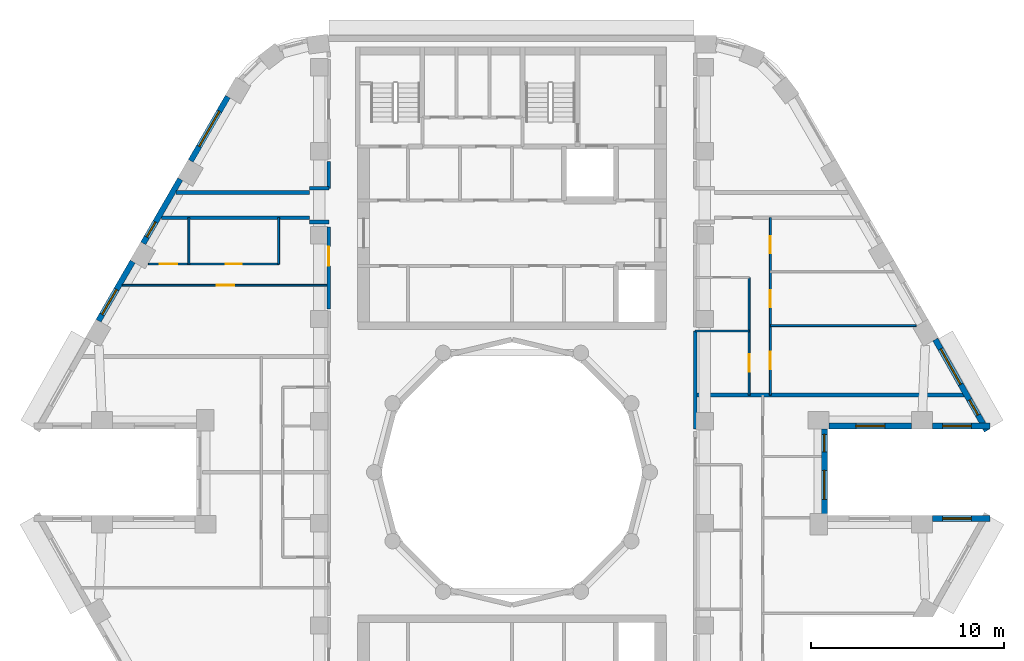
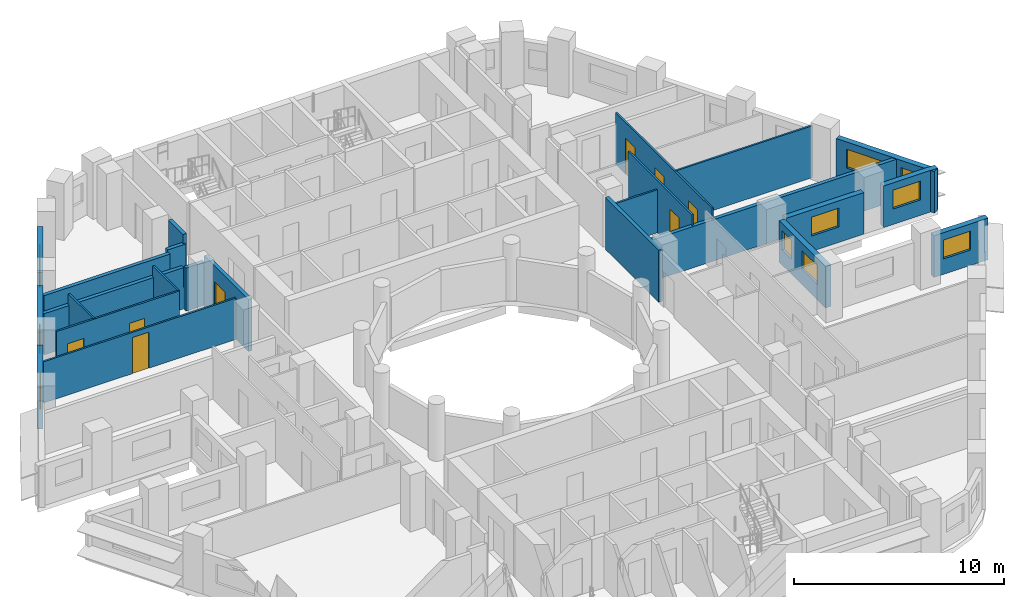
# One storey, part 6 of 12: 24 walls, 10 windows, 8 doors, 18 openings.
"""IFC4 building model written with IfcOpenShell, lengths in metres."""

from ifc_helpers import new_model, si_unit, direction, frame, frame_2d, origin, place, context, subcontext, project, spatial, rectangle, extrude, material, layer, layer_set, type_object, element, fill, save


model = new_model("IFC4")

# Units and contexts
model_context = context("Model", 3, precision=1e-05, world=origin(), true_north=direction((0.0, 1.0)))
body_context = subcontext(model_context, "Body", "Model", "MODEL_VIEW")
ifc_project = project(units=[si_unit("LENGTHUNIT", "METRE"), si_unit("AREAUNIT", "SQUARE_METRE"), si_unit("VOLUMEUNIT", "CUBIC_METRE"), si_unit("PLANEANGLEUNIT", "RADIAN"), si_unit("MASSUNIT", "GRAM", prefix="KILO")], contexts=[model_context])

# Site, building, storey
site_placement = place(None, origin())
site = spatial("IfcSite", under=ifc_project, at=site_placement, CompositionType="ELEMENT")
building_placement = place(site_placement, origin())
building = spatial("IfcBuilding", under=site, at=building_placement, Name="Nakaniwa Court", CompositionType="ELEMENT")
storey_placement = place(building_placement, frame((0.0, 0.0, 252.60009765625)))
storey = spatial("IfcBuildingStorey", under=building, at=storey_placement, Name="L66", CompositionType="ELEMENT", Elevation=252.60009765625)

# Walls
ifc_material_1 = material(Name="Acoustic double stud partition")
ifc_layer_1 = layer(ifc_material_1, 0.199951171875)
ifc_layer_set_1 = layer_set([ifc_layer_1], Name="Acoustic double stud partition")
wall_type_1 = type_object("IfcWallType", Name="Acoustic double stud partition 200", PredefinedType="PARTITIONING", material=ifc_layer_set_1)
wall_1_placement = place(storey_placement, frame((89.5, 82.237060546875, 0.0), z_axis=(0.0, 0.0, 1.0), x_axis=(0.0, 1.0, 0.0)))
element("IfcWall", 1, at=wall_1_placement, inside=storey, type_object=wall_type_1, Name="Partition PW-064", PredefinedType="PARTITIONING", context=body_context, shape_type="SweptSolid", body=[
    extrude(rectangle(XDim=5.09326171875, YDim=0.199951171875, at=frame_2d((2.546630859375, 0.0))), origin(), (0.0, 0.0, 1.0), 3.02490234375),
])
wall_2_placement = place(storey_placement, frame((61.8134765625, 93.199951171875, 0.0), z_axis=(0.0, 0.0, 1.0), x_axis=(1.0, 0.0, 0.0)))
element("IfcWall", 2, at=wall_2_placement, inside=storey, type_object=wall_type_1, Name="Partition PW-070", PredefinedType="PARTITIONING", context=body_context, shape_type="SweptSolid", body=[
    extrude(rectangle(XDim=7.6865234375, YDim=0.199951171875, at=frame_2d((3.84326171875, 0.0))), origin(), (0.0, 0.0, 1.0), 2.40478515625),
])
for number, where, z_axis, x_axis, name in (
    (3, (69.5, 92.97509765625, 0.0), (0.0, 0.0, 1.0), (1.0, 0.0, 0.0), "Partition PW-072"),
    (4, (69.5, 94.72509765625, 0.0), (0.0, 0.0, 1.0), (1.0, 0.0, 0.0), "Partition PW-074"),
):
    element("IfcWall", number, at=place(storey_placement, frame(where, z_axis=z_axis, x_axis=x_axis)), inside=storey, type_object=wall_type_1, Name=name, PredefinedType="PARTITIONING", context=body_context, shape_type="SweptSolid", body=[
        extrude(rectangle(XDim=1.0, YDim=0.199951171875, at=frame_2d((0.5, 0.0))), origin(), (0.0, 0.0, 1.0), 2.5048828125),
    ])
wall_3_placement = place(storey_placement, frame((62.56396484375, 94.5, 0.0), z_axis=(0.0, 0.0, 1.0), x_axis=(1.0, 0.0, 0.0)))
element("IfcWall", 5, at=wall_3_placement, inside=storey, type_object=wall_type_1, Name="Partition PW-076", PredefinedType="PARTITIONING", context=body_context, shape_type="SweptSolid", body=[
    extrude(rectangle(XDim=6.93603515625, YDim=0.199951171875, at=frame_2d((3.468017578125, 0.0))), origin(), (0.0, 0.0, 1.0), 2.40478515625),
])

# Wall, opening, door
wall_4_placement = place(storey_placement, frame((70.5, 88.47705078125, 0.0), z_axis=(0.0, 0.0, 1.0), x_axis=(0.0, 1.0, 0.0)))
wall_4 = element("IfcWall", 6, at=wall_4_placement, inside=storey, type_object=wall_type_1, Name="Partition PW-092", PredefinedType="PARTITIONING", context=body_context, shape_type="SweptSolid", body=[
    extrude(rectangle(XDim=4.23583984375, YDim=0.199951171875, at=frame_2d((2.117919921875, 0.0))), origin(), (0.0, 0.0, 1.0), 3.02490234375),
])
opening_1_placement = place(wall_4_placement, frame((2.22802734375, 0.0, 0.0)))
opening_1 = element("IfcOpeningElement", 7, at=opening_1_placement, cuts=wall_4, Name="Opening D-01-05", PredefinedType="OPENING", context=body_context, shape_type="SweptSolid", body=[
    extrude(rectangle(XDim=1.0, YDim=2.10009765625, at=frame_2d((0.5, 1.050048828125))), frame((0.0, 0.10986328125, 0.0), z_axis=(0.0, -1.0, 0.0), x_axis=(1.0, 0.0, 0.0)), (0.0, 0.0, 1.0), 0.219970703125),
])
ifc_material_2 = material(Name="Solid core timber door set, black veneer", Category="wood")
door_type_1 = type_object("IfcDoorType", Name="Flat entrance door 1000", OperationType="NOTDEFINED", PredefinedType="DOOR", material=ifc_material_2)
door_1_placement = place(opening_1_placement, origin())
door_1 = element("IfcDoor", 8, at=door_1_placement, inside=storey, type_object=door_type_1, Name="Door D-01-05 L66-055", OperationType="SINGLE_SWING_RIGHT", OverallHeight=2.10009765625, OverallWidth=1.0, PredefinedType="DOOR", context=body_context, shape_type="SweptSolid", body=[
    extrude(rectangle(XDim=1.0, YDim=2.10009765625, at=frame_2d((0.5, 1.050048828125))), frame((0.0, 0.02490234375, 0.0), z_axis=(0.0, -1.0, 0.0), x_axis=(1.0, 0.0, 0.0)), (0.0, 0.0, 1.0), 0.050048828125),
])
fill(opening_1, door_1)

# Walls
wall_5_placement = place(storey_placement, frame((70.5, 94.721923828125, 0.0), z_axis=(0.0, 0.0, 1.0), x_axis=(0.0, 1.0, 0.0)))
element("IfcWall", 9, at=wall_5_placement, inside=storey, type_object=wall_type_1, Name="Partition PW-093", PredefinedType="PARTITIONING", context=body_context, shape_type="SweptSolid", body=[
    extrude(rectangle(XDim=1.401123046875, YDim=0.199951171875, at=frame_2d((0.70068359375, 0.0))), origin(), (0.0, 0.0, 1.0), 3.02490234375),
])
wall_6_placement = place(storey_placement, frame((89.5, 84.0, 0.0), z_axis=(0.0, 0.0, 1.0), x_axis=(1.0, 0.0, 0.0)))
element("IfcWall", 10, at=wall_6_placement, inside=storey, type_object=wall_type_1, Name="Partition PW-102", PredefinedType="PARTITIONING", context=body_context, shape_type="SweptSolid", body=[
    extrude(rectangle(XDim=13.998291015625, YDim=0.199951171875, at=frame_2d((6.9990234375, 0.0))), origin(), (0.0, 0.0, 1.0), 2.40478515625),
])

# Wall, opening, window
ifc_material_3 = material(Name="Charcoal ceramic cladding")
ifc_layer_2 = layer(ifc_material_3, 0.02, Name="Ceramic cladding")
ifc_material_4 = material(Name="Ventilated air cavity")
ifc_layer_3 = layer(ifc_material_4, 0.04, ventilated=True, Name="Ventilated cavity")
ifc_material_5 = material(Name="Mineral wool insulation")
ifc_layer_4 = layer(ifc_material_5, 0.1, Name="Insulation")
ifc_material_6 = material(Name="Cement bonded sheathing board")
ifc_layer_5 = layer(ifc_material_6, 0.012, Name="Sheathing")
ifc_material_7 = material(Name="Cold-formed galvanised stud frame with mineral wool infill")
ifc_layer_6 = layer(ifc_material_7, 0.1, Name="Stud frame")
ifc_material_8 = material(Name="Fire-rated gypsum plasterboard lining")
ifc_layer_7 = layer(ifc_material_8, 0.028, Name="Lining")
ifc_layer_set_2 = layer_set([ifc_layer_2, ifc_layer_3, ifc_layer_4, ifc_layer_5, ifc_layer_6, ifc_layer_7], Name="Charcoal ceramic faced external wall system")
wall_type_2 = type_object("IfcWallType", Name="Black ceramic faced external wall 300", PredefinedType="SOLIDWALL", material=ifc_layer_set_2)
wall_7_placement = place(storey_placement, frame((96.445556640625, 82.39990234375, 0.0), z_axis=(0.0, 0.0, 1.0), x_axis=(1.0, 0.0, 0.0)))
wall_7 = element("IfcWall", 11, at=wall_7_placement, inside=storey, type_object=wall_type_2, Name="L66 external wall 00", PredefinedType="SOLIDWALL", context=body_context, shape_type="SweptSolid", body=[
    extrude(rectangle(XDim=4.2724609375, YDim=0.300048828125, at=frame_2d((2.13623046875, 0.0))), origin(), (0.0, 0.0, 1.0), 2.4248046875),
])
opening_2_placement = place(wall_7_placement, frame((1.38623046875, 0.0, 0.89990234375)))
opening_2 = element("IfcOpeningElement", 12, at=opening_2_placement, cuts=wall_7, Name="Opening W5.01", PredefinedType="OPENING", context=body_context, shape_type="SweptSolid", body=[
    extrude(rectangle(XDim=1.5, YDim=1.10009765625, at=frame_2d((0.75, 0.550048828125))), frame((0.0, 0.159912109375, 0.0), z_axis=(0.0, -1.0, 0.0), x_axis=(1.0, 0.0, 0.0)), (0.0, 0.0, 1.0), 0.320068359375),
])
ifc_material_9 = material(Name="Black anodised aluminium frame with dark low-E laminated double glazing", Category="aluminium")
window_type_1 = type_object("IfcWindowType", Name="Dark glass window 1500x1100 sill 900", PartitioningType="SINGLE_PANEL", PredefinedType="WINDOW", material=ifc_material_9)
window_1_placement = place(opening_2_placement, origin())
window_1 = element("IfcWindow", 13, at=window_1_placement, inside=storey, type_object=window_type_1, Name="L66 bedroom window 00-0", OverallHeight=1.10009765625, OverallWidth=1.5, PartitioningType="SINGLE_PANEL", PredefinedType="WINDOW", context=body_context, shape_type="SweptSolid", body=[
    extrude(rectangle(XDim=1.5, YDim=1.10009765625, at=frame_2d((0.75, 0.550048828125))), frame((0.0, 0.030029296875, 0.0), z_axis=(0.0, -1.0, 0.0), x_axis=(1.0, 0.0, 0.0)), (0.0, 0.0, 1.0), 0.06005859375),
])
fill(opening_2, window_1)

wall_8_placement = place(storey_placement, frame((101.81005859375, 82.39990234375, 0.0), z_axis=(0.0, 0.0, 1.0), x_axis=(1.0, 0.0, 0.0)))
wall_8 = element("IfcWall", 14, at=wall_8_placement, inside=storey, type_object=wall_type_2, Name="L66 external wall 01", PredefinedType="SOLIDWALL", context=body_context, shape_type="SweptSolid", body=[
    extrude(rectangle(XDim=2.98779296875, YDim=0.300048828125, at=frame_2d((1.493896484375, 0.0))), origin(), (0.0, 0.0, 1.0), 2.4248046875),
])
opening_3_placement = place(wall_8_placement, frame((0.51904296875, 0.0, 0.89990234375)))
opening_3 = element("IfcOpeningElement", 15, at=opening_3_placement, cuts=wall_8, Name="Opening W5.02", PredefinedType="OPENING", context=body_context, shape_type="SweptSolid", body=[
    extrude(rectangle(XDim=1.5, YDim=1.10009765625, at=frame_2d((0.75, 0.550048828125))), frame((0.0, 0.159912109375, 0.0), z_axis=(0.0, -1.0, 0.0), x_axis=(1.0, 0.0, 0.0)), (0.0, 0.0, 1.0), 0.320068359375),
])
window_2_placement = place(opening_3_placement, origin())
window_2 = element("IfcWindow", 16, at=window_2_placement, inside=storey, type_object=window_type_1, Name="L66 bedroom window 01-0", OverallHeight=1.10009765625, OverallWidth=1.5, PartitioningType="SINGLE_PANEL", PredefinedType="WINDOW", context=body_context, shape_type="SweptSolid", body=[
    extrude(rectangle(XDim=1.5, YDim=1.10009765625, at=frame_2d((0.75, 0.550048828125))), frame((0.0, 0.030029296875, 0.0), z_axis=(0.0, -1.0, 0.0), x_axis=(1.0, 0.0, 0.0)), (0.0, 0.0, 1.0), 0.06005859375),
])
fill(opening_3, window_2)

# Wall, openings, windows
wall_9_placement = place(storey_placement, frame((104.627197265625, 82.153564453125, 0.0), z_axis=(0.0, 0.0, 1.0), x_axis=(-0.492080931903, 0.870549456641, 0.0)))
wall_9 = element("IfcWall", 17, at=wall_9_placement, inside=storey, type_object=wall_type_2, Name="L66 external wall 02", PredefinedType="SOLIDWALL", context=body_context, shape_type="SweptSolid", body=[
    extrude(rectangle(XDim=5.436767578125, YDim=0.300048828125, at=frame_2d((2.71826171875, 0.0))), origin(), (0.0, 0.0, 1.0), 2.4248046875),
])
opening_4_placement = place(wall_9_placement, frame((0.934326171875, 0.0, 0.89990234375)))
opening_4 = element("IfcOpeningElement", 18, at=opening_4_placement, cuts=wall_9, Name="Opening W9.03", PredefinedType="OPENING", context=body_context, shape_type="SweptSolid", body=[
    extrude(rectangle(XDim=0.89990234375, YDim=1.10009765625, at=frame_2d((0.449951171875, 0.550048828125))), frame((0.0, 0.159912109375, 0.0), z_axis=(0.0, -1.0, 0.0), x_axis=(1.0, 0.0, 0.0)), (0.0, 0.0, 1.0), 0.320068359375),
])
opening_5_placement = place(wall_9_placement, frame((2.76416015625, 0.0, 0.89990234375)))
opening_5 = element("IfcOpeningElement", 19, at=opening_5_placement, cuts=wall_9, Name="Opening W7.04", PredefinedType="OPENING", context=body_context, shape_type="SweptSolid", body=[
    extrude(rectangle(XDim=2.10009765625, YDim=1.10009765625, at=frame_2d((1.050048828125, 0.550048828125))), frame((0.0, 0.159912109375, 0.0), z_axis=(0.0, -1.0, 0.0), x_axis=(1.0, 0.0, 0.0)), (0.0, 0.0, 1.0), 0.320068359375),
])
window_type_2 = type_object("IfcWindowType", Name="Dark glass window 2100x1100 sill 900", PartitioningType="SINGLE_PANEL", PredefinedType="WINDOW", material=ifc_material_9)
window_3_placement = place(opening_5_placement, origin())
window_3 = element("IfcWindow", 20, at=window_3_placement, inside=storey, type_object=window_type_2, Name="L66 living window 02-1", OverallHeight=1.10009765625, OverallWidth=2.10009765625, PartitioningType="SINGLE_PANEL", PredefinedType="WINDOW", context=body_context, shape_type="SweptSolid", body=[
    extrude(rectangle(XDim=2.10009765625, YDim=1.10009765625, at=frame_2d((1.050048828125, 0.550048828125))), frame((0.0, 0.030029296875, 0.0), z_axis=(0.0, -1.0, 0.0), x_axis=(1.0, 0.0, 0.0)), (0.0, 0.0, 1.0), 0.06005859375),
])
fill(opening_5, window_3)
window_type_3 = type_object("IfcWindowType", Name="Dark glass window 900x1100 sill 900", PartitioningType="SINGLE_PANEL", PredefinedType="WINDOW", material=ifc_material_9)
window_4_placement = place(opening_4_placement, origin())
window_4 = element("IfcWindow", 21, at=window_4_placement, inside=storey, type_object=window_type_3, Name="L66 bedroom window 02-0", OverallHeight=1.10009765625, OverallWidth=0.89990234375, PartitioningType="SINGLE_PANEL", PredefinedType="WINDOW", context=body_context, shape_type="SweptSolid", body=[
    extrude(rectangle(XDim=0.89990234375, YDim=1.10009765625, at=frame_2d((0.449951171875, 0.550048828125))), frame((0.0, 0.030029296875, 0.0), z_axis=(0.0, -1.0, 0.0), x_axis=(1.0, 0.0, 0.0)), (0.0, 0.0, 1.0), 0.06005859375),
])
fill(opening_4, window_4)

# Wall, opening, window
wall_10_placement = place(storey_placement, frame((65.26416015625, 99.476806640625, 0.0), z_axis=(0.0, 0.0, 1.0), x_axis=(-0.499984490703, -0.866034357896, 0.0)))
wall_10 = element("IfcWall", 22, at=wall_10_placement, inside=storey, type_object=wall_type_2, Name="L66 external wall 11", PredefinedType="SOLIDWALL", context=body_context, shape_type="SweptSolid", body=[
    extrude(rectangle(XDim=3.84423828125, YDim=0.300048828125, at=frame_2d((1.922119140625, 0.0))), origin(), (0.0, 0.0, 1.0), 2.4248046875),
])
opening_6_placement = place(wall_10_placement, frame((0.8720703125, 0.0, 0.89990234375)))
opening_6 = element("IfcOpeningElement", 23, at=opening_6_placement, cuts=wall_10, Name="Opening W7.12", PredefinedType="OPENING", context=body_context, shape_type="SweptSolid", body=[
    extrude(rectangle(XDim=2.10009765625, YDim=1.10009765625, at=frame_2d((1.050048828125, 0.550048828125))), frame((0.0, 0.159912109375, 0.0), z_axis=(0.0, -1.0, 0.0), x_axis=(1.0, 0.0, 0.0)), (0.0, 0.0, 1.0), 0.320068359375),
])
window_5_placement = place(opening_6_placement, origin())
window_5 = element("IfcWindow", 24, at=window_5_placement, inside=storey, type_object=window_type_2, Name="L66 habitable room window 11-0", OverallHeight=1.10009765625, OverallWidth=2.10009765625, PartitioningType="SINGLE_PANEL", PredefinedType="WINDOW", context=body_context, shape_type="SweptSolid", body=[
    extrude(rectangle(XDim=2.10009765625, YDim=1.10009765625, at=frame_2d((1.050048828125, 0.550048828125))), frame((0.0, 0.030029296875, 0.0), z_axis=(0.0, -1.0, 0.0), x_axis=(1.0, 0.0, 0.0)), (0.0, 0.0, 1.0), 0.06005859375),
])
fill(opening_6, window_5)

wall_11_placement = place(storey_placement, frame((62.7958984375, 95.201904296875, 0.0), z_axis=(0.0, 0.0, 1.0), x_axis=(-0.499984490703, -0.866034357896, 0.0)))
wall_11 = element("IfcWall", 25, at=wall_11_placement, inside=storey, type_object=wall_type_2, Name="L66 external wall 12", PredefinedType="SOLIDWALL", context=body_context, shape_type="SweptSolid", body=[
    extrude(rectangle(XDim=3.84423828125, YDim=0.300048828125, at=frame_2d((1.922119140625, 0.0))), origin(), (0.0, 0.0, 1.0), 2.4248046875),
])
opening_7_placement = place(wall_11_placement, frame((2.56689453125, 0.0, 0.89990234375)))
opening_7 = element("IfcOpeningElement", 26, at=opening_7_placement, cuts=wall_11, Name="Opening W9.13", PredefinedType="OPENING", context=body_context, shape_type="SweptSolid", body=[
    extrude(rectangle(XDim=0.89990234375, YDim=1.10009765625, at=frame_2d((0.449951171875, 0.550048828125))), frame((0.0, 0.159912109375, 0.0), z_axis=(0.0, -1.0, 0.0), x_axis=(1.0, 0.0, 0.0)), (0.0, 0.0, 1.0), 0.320068359375),
])
window_6_placement = place(opening_7_placement, origin())
window_6 = element("IfcWindow", 27, at=window_6_placement, inside=storey, type_object=window_type_3, Name="L66 habitable room window 12-2", OverallHeight=1.10009765625, OverallWidth=0.89990234375, PartitioningType="SINGLE_PANEL", PredefinedType="WINDOW", context=body_context, shape_type="SweptSolid", body=[
    extrude(rectangle(XDim=0.89990234375, YDim=1.10009765625, at=frame_2d((0.449951171875, 0.550048828125))), frame((0.0, 0.030029296875, 0.0), z_axis=(0.0, -1.0, 0.0), x_axis=(1.0, 0.0, 0.0)), (0.0, 0.0, 1.0), 0.06005859375),
])
fill(opening_7, window_6)

wall_12_placement = place(storey_placement, frame((60.327880859375, 90.927001953125, 0.0), z_axis=(0.0, 0.0, 1.0), x_axis=(-0.500010404316, -0.866019396766, 0.0)))
wall_12 = element("IfcWall", 28, at=wall_12_placement, inside=storey, type_object=wall_type_2, Name="L66 external wall 13", PredefinedType="SOLIDWALL", context=body_context, shape_type="SweptSolid", body=[
    extrude(rectangle(XDim=3.54736328125, YDim=0.300048828125, at=frame_2d((1.773681640625, 0.0))), origin(), (0.0, 0.0, 1.0), 2.4248046875),
])
opening_8_placement = place(wall_12_placement, frame((1.6708984375, 0.0, 0.89990234375)))
opening_8 = element("IfcOpeningElement", 29, at=opening_8_placement, cuts=wall_12, Name="Opening W5.14", PredefinedType="OPENING", context=body_context, shape_type="SweptSolid", body=[
    extrude(rectangle(XDim=1.5, YDim=1.10009765625, at=frame_2d((0.75, 0.550048828125))), frame((0.0, 0.159912109375, 0.0), z_axis=(0.0, -1.0, 0.0), x_axis=(1.0, 0.0, 0.0)), (0.0, 0.0, 1.0), 0.320068359375),
])
window_7_placement = place(opening_8_placement, origin())
window_7 = element("IfcWindow", 30, at=window_7_placement, inside=storey, type_object=window_type_1, Name="L66 living window 13-1", OverallHeight=1.10009765625, OverallWidth=1.5, PartitioningType="SINGLE_PANEL", PredefinedType="WINDOW", context=body_context, shape_type="SweptSolid", body=[
    extrude(rectangle(XDim=1.5, YDim=1.10009765625, at=frame_2d((0.75, 0.550048828125))), frame((0.0, 0.030029296875, 0.0), z_axis=(0.0, -1.0, 0.0), x_axis=(1.0, 0.0, 0.0)), (0.0, 0.0, 1.0), 0.06005859375),
])
fill(opening_8, window_7)

wall_13_placement = place(storey_placement, frame((104.7978515625, 77.60009765625, 0.0), z_axis=(0.0, 0.0, 1.0), x_axis=(-1.0, 0.0, 0.0)))
wall_13 = element("IfcWall", 31, at=wall_13_placement, inside=storey, type_object=wall_type_2, Name="L66 external wall 33", PredefinedType="SOLIDWALL", context=body_context, shape_type="SweptSolid", body=[
    extrude(rectangle(XDim=2.98779296875, YDim=0.300048828125, at=frame_2d((1.493896484375, 0.0))), origin(), (0.0, 0.0, 1.0), 2.4248046875),
])
opening_9_placement = place(wall_13_placement, frame((0.968994140625, 0.0, 0.89990234375)))
opening_9 = element("IfcOpeningElement", 32, at=opening_9_placement, cuts=wall_13, Name="Opening W5.34", PredefinedType="OPENING", context=body_context, shape_type="SweptSolid", body=[
    extrude(rectangle(XDim=1.5, YDim=1.10009765625, at=frame_2d((0.75, 0.550048828125))), frame((0.0, 0.159912109375, 0.0), z_axis=(0.0, -1.0, 0.0), x_axis=(1.0, 0.0, 0.0)), (0.0, 0.0, 1.0), 0.320068359375),
])
window_8_placement = place(opening_9_placement, origin())
window_8 = element("IfcWindow", 33, at=window_8_placement, inside=storey, type_object=window_type_1, Name="L66 living window 33-0", OverallHeight=1.10009765625, OverallWidth=1.5, PartitioningType="SINGLE_PANEL", PredefinedType="WINDOW", context=body_context, shape_type="SweptSolid", body=[
    extrude(rectangle(XDim=1.5, YDim=1.10009765625, at=frame_2d((0.75, 0.550048828125))), frame((0.0, 0.030029296875, 0.0), z_axis=(0.0, -1.0, 0.0), x_axis=(1.0, 0.0, 0.0)), (0.0, 0.0, 1.0), 0.06005859375),
])
fill(opening_9, window_8)

# Wall, openings, windows
wall_14_placement = place(storey_placement, frame((96.199462890625, 77.845947265625, 0.0), z_axis=(0.0, 0.0, 1.0), x_axis=(0.0, 1.0, 0.0)))
wall_14 = element("IfcWall", 34, at=wall_14_placement, inside=storey, type_object=wall_type_2, Name="L66 external wall 35", PredefinedType="SOLIDWALL", context=body_context, shape_type="SweptSolid", body=[
    extrude(rectangle(XDim=4.407958984375, YDim=0.300048828125, at=frame_2d((2.2041015625, 0.0))), origin(), (0.0, 0.0, 1.0), 2.4248046875),
])
opening_10_placement = place(wall_14_placement, frame((0.74755859375, 0.0, 0.89990234375)))
opening_10 = element("IfcOpeningElement", 35, at=opening_10_placement, cuts=wall_14, Name="Opening W5.36", PredefinedType="OPENING", context=body_context, shape_type="SweptSolid", body=[
    extrude(rectangle(XDim=1.5, YDim=1.10009765625, at=frame_2d((0.75, 0.550048828125))), frame((0.0, 0.159912109375, 0.0), z_axis=(0.0, -1.0, 0.0), x_axis=(1.0, 0.0, 0.0)), (0.0, 0.0, 1.0), 0.320068359375),
])
opening_11_placement = place(wall_14_placement, frame((3.214599609375, 0.0, 0.89990234375)))
opening_11 = element("IfcOpeningElement", 36, at=opening_11_placement, cuts=wall_14, Name="Opening W9.37", PredefinedType="OPENING", context=body_context, shape_type="SweptSolid", body=[
    extrude(rectangle(XDim=0.89990234375, YDim=1.10009765625, at=frame_2d((0.449951171875, 0.550048828125))), frame((0.0, 0.159912109375, 0.0), z_axis=(0.0, -1.0, 0.0), x_axis=(1.0, 0.0, 0.0)), (0.0, 0.0, 1.0), 0.320068359375),
])
window_9_placement = place(opening_10_placement, origin())
window_9 = element("IfcWindow", 37, at=window_9_placement, inside=storey, type_object=window_type_1, Name="L66 bedroom window 35-0", OverallHeight=1.10009765625, OverallWidth=1.5, PartitioningType="SINGLE_PANEL", PredefinedType="WINDOW", context=body_context, shape_type="SweptSolid", body=[
    extrude(rectangle(XDim=1.5, YDim=1.10009765625, at=frame_2d((0.75, 0.550048828125))), frame((0.0, 0.030029296875, 0.0), z_axis=(0.0, -1.0, 0.0), x_axis=(1.0, 0.0, 0.0)), (0.0, 0.0, 1.0), 0.06005859375),
])
fill(opening_10, window_9)
window_10_placement = place(opening_11_placement, origin())
window_10 = element("IfcWindow", 38, at=window_10_placement, inside=storey, type_object=window_type_3, Name="L66 bedroom window 35-1", OverallHeight=1.10009765625, OverallWidth=0.89990234375, PartitioningType="SINGLE_PANEL", PredefinedType="WINDOW", context=body_context, shape_type="SweptSolid", body=[
    extrude(rectangle(XDim=0.89990234375, YDim=1.10009765625, at=frame_2d((0.449951171875, 0.550048828125))), frame((0.0, 0.030029296875, 0.0), z_axis=(0.0, -1.0, 0.0), x_axis=(1.0, 0.0, 0.0)), (0.0, 0.0, 1.0), 0.06005859375),
])
fill(opening_11, window_10)

# Wall
ifc_material_10 = material(Name="Single stud plasterboard partition")
ifc_layer_8 = layer(ifc_material_10, 0.10009765625)
ifc_layer_set_3 = layer_set([ifc_layer_8], Name="Single stud plasterboard partition")
wall_type_3 = type_object("IfcWallType", Name="Single stud plasterboard partition 100", PredefinedType="PARTITIONING", material=ifc_layer_set_3)
wall_15_placement = place(storey_placement, frame((89.5, 87.326904296875, 0.0), z_axis=(0.0, 0.0, 1.0), x_axis=(1.0, 0.0, 0.0)))
element("IfcWall", 39, at=wall_15_placement, inside=storey, type_object=wall_type_3, Name="Partition PW-106", PredefinedType="PARTITIONING", context=body_context, shape_type="SweptSolid", body=[
    extrude(rectangle(XDim=2.800048828125, YDim=0.10009765625, at=frame_2d((1.39990234375, 0.0))), origin(), (0.0, 0.0, 1.0), 2.5048828125),
])

# Wall, opening, door
wall_16_placement = place(storey_placement, frame((92.300048828125, 84.0, 0.0), z_axis=(0.0, 0.0, 1.0), x_axis=(0.0, 1.0, 0.0)))
wall_16 = element("IfcWall", 40, at=wall_16_placement, inside=storey, type_object=wall_type_3, Name="Partition PW-107", PredefinedType="PARTITIONING", context=body_context, shape_type="SweptSolid", body=[
    extrude(rectangle(XDim=6.10009765625, YDim=0.10009765625, at=frame_2d((3.050048828125, 0.0))), origin(), (0.0, 0.0, 1.0), 3.02490234375),
])
opening_12_placement = place(wall_16_placement, frame((1.214111328125, 0.0, 0.0)))
opening_12 = element("IfcOpeningElement", 41, at=opening_12_placement, cuts=wall_16, Name="Opening D-33-06", PredefinedType="OPENING", context=body_context, shape_type="SweptSolid", body=[
    extrude(rectangle(XDim=0.89990234375, YDim=2.10009765625, at=frame_2d((0.449951171875, 1.050048828125))), frame((0.0, 0.06005859375, 0.0), z_axis=(0.0, -1.0, 0.0), x_axis=(1.0, 0.0, 0.0)), (0.0, 0.0, 1.0), 0.1201171875),
])
door_type_2 = type_object("IfcDoorType", Name="Internal door 900", OperationType="NOTDEFINED", PredefinedType="DOOR", material=ifc_material_2)
door_2_placement = place(opening_12_placement, origin())
door_2 = element("IfcDoor", 42, at=door_2_placement, inside=storey, type_object=door_type_2, Name="Door D-33-06 L66-041", OperationType="SINGLE_SWING_RIGHT", OverallHeight=2.10009765625, OverallWidth=0.89990234375, PredefinedType="DOOR", context=body_context, shape_type="SweptSolid", body=[
    extrude(rectangle(XDim=0.89990234375, YDim=2.10009765625, at=frame_2d((0.449951171875, 1.050048828125))), frame((0.0, 0.02490234375, 0.0), z_axis=(0.0, -1.0, 0.0), x_axis=(1.0, 0.0, 0.0)), (0.0, 0.0, 1.0), 0.050048828125),
])
fill(opening_12, door_2)

# Wall, openings, doors
wall_17_placement = place(storey_placement, frame((93.39990234375, 93.199951171875, 0.0), z_axis=(0.0, 0.0, 1.0), x_axis=(0.0, -1.0, 0.0)))
wall_17 = element("IfcWall", 43, at=wall_17_placement, inside=storey, type_object=wall_type_3, Name="Partition PW-109", PredefinedType="PARTITIONING", context=body_context, shape_type="SweptSolid", body=[
    extrude(rectangle(XDim=9.199951171875, YDim=0.10009765625, at=frame_2d((4.60009765625, 0.0))), origin(), (0.0, 0.0, 1.0), 3.02490234375),
])
opening_13_placement = place(wall_17_placement, frame((6.949951171875, 0.0, 0.0)))
opening_13 = element("IfcOpeningElement", 44, at=opening_13_placement, cuts=wall_17, Name="Opening D-33-07", PredefinedType="OPENING", context=body_context, shape_type="SweptSolid", body=[
    extrude(rectangle(XDim=0.89990234375, YDim=2.10009765625, at=frame_2d((0.449951171875, 1.050048828125))), frame((0.0, 0.06005859375, 0.0), z_axis=(0.0, -1.0, 0.0), x_axis=(1.0, 0.0, 0.0)), (0.0, 0.0, 1.0), 0.1201171875),
])
opening_14_placement = place(wall_17_placement, frame((3.75, 0.0, 0.0)))
opening_14 = element("IfcOpeningElement", 45, at=opening_14_placement, cuts=wall_17, Name="Opening D-33-08", PredefinedType="OPENING", context=body_context, shape_type="SweptSolid", body=[
    extrude(rectangle(XDim=0.89990234375, YDim=2.10009765625, at=frame_2d((0.449951171875, 1.050048828125))), frame((0.0, 0.06005859375, 0.0), z_axis=(0.0, -1.0, 0.0), x_axis=(1.0, 0.0, 0.0)), (0.0, 0.0, 1.0), 0.1201171875),
])
opening_15_placement = place(wall_17_placement, frame((0.949951171875, 0.0, 0.0)))
opening_15 = element("IfcOpeningElement", 46, at=opening_15_placement, cuts=wall_17, Name="Opening D-33-09", PredefinedType="OPENING", context=body_context, shape_type="SweptSolid", body=[
    extrude(rectangle(XDim=0.89990234375, YDim=2.10009765625, at=frame_2d((0.449951171875, 1.050048828125))), frame((0.0, 0.06005859375, 0.0), z_axis=(0.0, -1.0, 0.0), x_axis=(1.0, 0.0, 0.0)), (0.0, 0.0, 1.0), 0.1201171875),
])
door_3_placement = place(opening_13_placement, origin())
door_3 = element("IfcDoor", 47, at=door_3_placement, inside=storey, type_object=door_type_2, Name="Door D-33-07 L66-043", OperationType="SINGLE_SWING_RIGHT", OverallHeight=2.10009765625, OverallWidth=0.89990234375, PredefinedType="DOOR", context=body_context, shape_type="SweptSolid", body=[
    extrude(rectangle(XDim=0.89990234375, YDim=2.10009765625, at=frame_2d((0.449951171875, 1.050048828125))), frame((0.0, 0.02490234375, 0.0), z_axis=(0.0, -1.0, 0.0), x_axis=(1.0, 0.0, 0.0)), (0.0, 0.0, 1.0), 0.050048828125),
])
fill(opening_13, door_3)
door_4_placement = place(opening_14_placement, origin())
door_4 = element("IfcDoor", 48, at=door_4_placement, inside=storey, type_object=door_type_2, Name="Door D-33-08 L66-044", OperationType="SINGLE_SWING_LEFT", OverallHeight=2.10009765625, OverallWidth=0.89990234375, PredefinedType="DOOR", context=body_context, shape_type="SweptSolid", body=[
    extrude(rectangle(XDim=0.89990234375, YDim=2.10009765625, at=frame_2d((0.449951171875, 1.050048828125))), frame((0.0, 0.02490234375, 0.0), z_axis=(0.0, -1.0, 0.0), x_axis=(1.0, 0.0, 0.0)), (0.0, 0.0, 1.0), 0.050048828125),
])
fill(opening_14, door_4)
door_5_placement = place(opening_15_placement, origin())
door_5 = element("IfcDoor", 49, at=door_5_placement, inside=storey, type_object=door_type_2, Name="Door D-33-09 L66-045", OperationType="SINGLE_SWING_RIGHT", OverallHeight=2.10009765625, OverallWidth=0.89990234375, PredefinedType="DOOR", context=body_context, shape_type="SweptSolid", body=[
    extrude(rectangle(XDim=0.89990234375, YDim=2.10009765625, at=frame_2d((0.449951171875, 1.050048828125))), frame((0.0, 0.02490234375, 0.0), z_axis=(0.0, -1.0, 0.0), x_axis=(1.0, 0.0, 0.0)), (0.0, 0.0, 1.0), 0.050048828125),
])
fill(opening_15, door_5)

# Walls
wall_18_placement = place(storey_placement, frame((93.39990234375, 87.60009765625, 0.0), z_axis=(0.0, 0.0, 1.0), x_axis=(1.0, 0.0, 0.0)))
element("IfcWall", 50, at=wall_18_placement, inside=storey, type_object=wall_type_3, Name="Partition PW-110", PredefinedType="PARTITIONING", context=body_context, shape_type="SweptSolid", body=[
    extrude(rectangle(XDim=7.555908203125, YDim=0.10009765625, at=frame_2d((3.77783203125, 0.0))), origin(), (0.0, 0.0, 1.0), 3.02490234375),
])
wall_19_placement = place(storey_placement, frame((63.243896484375, 90.800048828125, 0.0), z_axis=(0.0, 0.0, 1.0), x_axis=(0.0, 1.0, 0.0)))
element("IfcWall", 51, at=wall_19_placement, inside=storey, type_object=wall_type_3, Name="Partition PW-121", PredefinedType="PARTITIONING", context=body_context, shape_type="SweptSolid", body=[
    extrude(rectangle(XDim=2.39990234375, YDim=0.10009765625, at=frame_2d((1.199951171875, 0.0))), origin(), (0.0, 0.0, 1.0), 3.02490234375),
])

# Wall, openings, doors
wall_20_placement = place(storey_placement, frame((61.143798828125, 90.800048828125, 0.0), z_axis=(0.0, 0.0, 1.0), x_axis=(1.0, 0.0, 0.0)))
wall_20 = element("IfcWall", 52, at=wall_20_placement, inside=storey, type_object=wall_type_3, Name="Partition PW-122", PredefinedType="PARTITIONING", context=body_context, shape_type="SweptSolid", body=[
    extrude(rectangle(XDim=6.756103515625, YDim=0.10009765625, at=frame_2d((3.3779296875, 0.0))), origin(), (0.0, 0.0, 1.0), 3.02490234375),
])
opening_16_placement = place(wall_20_placement, frame((0.60009765625, 0.0, 0.0)))
opening_16 = element("IfcOpeningElement", 53, at=opening_16_placement, cuts=wall_20, Name="Opening D-33-14", PredefinedType="OPENING", context=body_context, shape_type="SweptSolid", body=[
    extrude(rectangle(XDim=0.89990234375, YDim=2.10009765625, at=frame_2d((0.449951171875, 1.050048828125))), frame((0.0, 0.06005859375, 0.0), z_axis=(0.0, -1.0, 0.0), x_axis=(1.0, 0.0, 0.0)), (0.0, 0.0, 1.0), 0.1201171875),
])
opening_17_placement = place(wall_20_placement, frame((4.0029296875, 0.0, 0.0)))
opening_17 = element("IfcOpeningElement", 54, at=opening_17_placement, cuts=wall_20, Name="Opening D-03-06", PredefinedType="OPENING", context=body_context, shape_type="SweptSolid", body=[
    extrude(rectangle(XDim=0.85009765625, YDim=2.10009765625, at=frame_2d((0.425048828125, 1.050048828125))), frame((0.0, 0.06005859375, 0.0), z_axis=(0.0, -1.0, 0.0), x_axis=(1.0, 0.0, 0.0)), (0.0, 0.0, 1.0), 0.1201171875),
])
ifc_material_11 = material(Name="Moisture sealed timber door set", Category="wood")
door_type_3 = type_object("IfcDoorType", Name="Bathroom door 850", OperationType="NOTDEFINED", PredefinedType="DOOR", material=ifc_material_11)
door_6_placement = place(opening_17_placement, origin())
door_6 = element("IfcDoor", 55, at=door_6_placement, inside=storey, type_object=door_type_3, Name="Door D-03-06 L66-057", OperationType="SINGLE_SWING_RIGHT", OverallHeight=2.10009765625, OverallWidth=0.85009765625, PredefinedType="DOOR", context=body_context, shape_type="SweptSolid", body=[
    extrude(rectangle(XDim=0.85009765625, YDim=2.10009765625, at=frame_2d((0.425048828125, 1.050048828125))), frame((0.0, 0.02490234375, 0.0), z_axis=(0.0, -1.0, 0.0), x_axis=(1.0, 0.0, 0.0)), (0.0, 0.0, 1.0), 0.050048828125),
])
fill(opening_17, door_6)
door_7_placement = place(opening_16_placement, origin())
door_7 = element("IfcDoor", 56, at=door_7_placement, inside=storey, type_object=door_type_2, Name="Door D-33-14 L66-056", OperationType="SINGLE_SWING_LEFT", OverallHeight=2.10009765625, OverallWidth=0.89990234375, PredefinedType="DOOR", context=body_context, shape_type="SweptSolid", body=[
    extrude(rectangle(XDim=0.89990234375, YDim=2.10009765625, at=frame_2d((0.449951171875, 1.050048828125))), frame((0.0, 0.02490234375, 0.0), z_axis=(0.0, -1.0, 0.0), x_axis=(1.0, 0.0, 0.0)), (0.0, 0.0, 1.0), 0.050048828125),
])
fill(opening_16, door_7)

# Wall
wall_21_placement = place(storey_placement, frame((67.89990234375, 90.800048828125, 0.0), z_axis=(0.0, 0.0, 1.0), x_axis=(0.0, 1.0, 0.0)))
element("IfcWall", 57, at=wall_21_placement, inside=storey, type_object=wall_type_3, Name="Partition PW-123", PredefinedType="PARTITIONING", context=body_context, shape_type="SweptSolid", body=[
    extrude(rectangle(XDim=2.39990234375, YDim=0.10009765625, at=frame_2d((1.199951171875, 0.0))), origin(), (0.0, 0.0, 1.0), 3.02490234375),
])

# Wall, opening, door
wall_22_placement = place(storey_placement, frame((70.5, 89.699951171875, 0.0), z_axis=(0.0, 0.0, 1.0), x_axis=(-1.0, 0.0, 0.0)))
wall_22 = element("IfcWall", 58, at=wall_22_placement, inside=storey, type_object=wall_type_3, Name="Partition PW-124", PredefinedType="PARTITIONING", context=body_context, shape_type="SweptSolid", body=[
    extrude(rectangle(XDim=10.707275390625, YDim=0.10009765625, at=frame_2d((5.353515625, 0.0))), origin(), (0.0, 0.0, 1.0), 2.40478515625),
])
opening_18_placement = place(wall_22_placement, frame((4.903076171875, 0.0, 0.0)))
opening_18 = element("IfcOpeningElement", 59, at=opening_18_placement, cuts=wall_22, Name="Opening D-33-15", PredefinedType="OPENING", context=body_context, shape_type="SweptSolid", body=[
    extrude(rectangle(XDim=0.89990234375, YDim=2.10009765625, at=frame_2d((0.449951171875, 1.050048828125))), frame((0.0, 0.06005859375, 0.0), z_axis=(0.0, -1.0, 0.0), x_axis=(1.0, 0.0, 0.0)), (0.0, 0.0, 1.0), 0.1201171875),
])
door_8_placement = place(opening_18_placement, origin())
door_8 = element("IfcDoor", 60, at=door_8_placement, inside=storey, type_object=door_type_2, Name="Door D-33-15 L66-058", OperationType="SINGLE_SWING_LEFT", OverallHeight=2.10009765625, OverallWidth=0.89990234375, PredefinedType="DOOR", context=body_context, shape_type="SweptSolid", body=[
    extrude(rectangle(XDim=0.89990234375, YDim=2.10009765625, at=frame_2d((0.449951171875, 1.050048828125))), frame((0.0, 0.02490234375, 0.0), z_axis=(0.0, -1.0, 0.0), x_axis=(1.0, 0.0, 0.0)), (0.0, 0.0, 1.0), 0.050048828125),
])
fill(opening_18, door_8)

save(model, "model.ifc")
